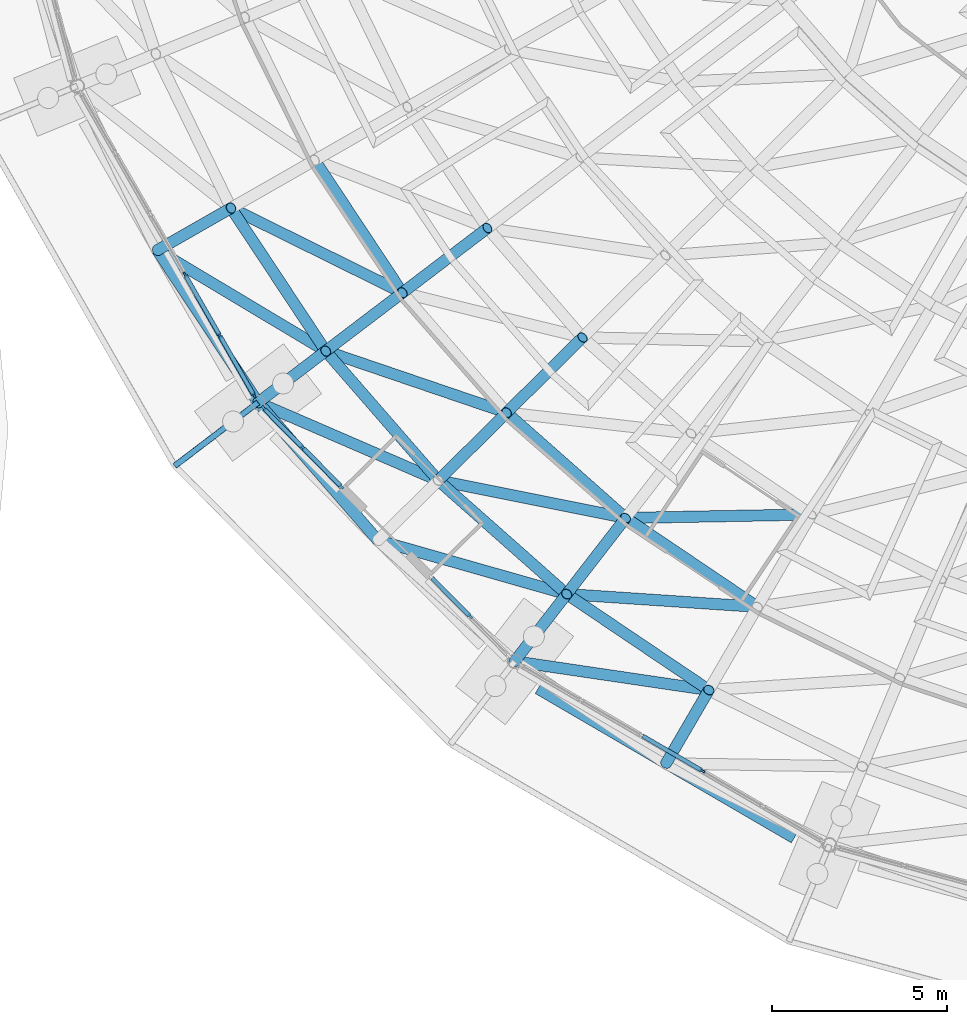
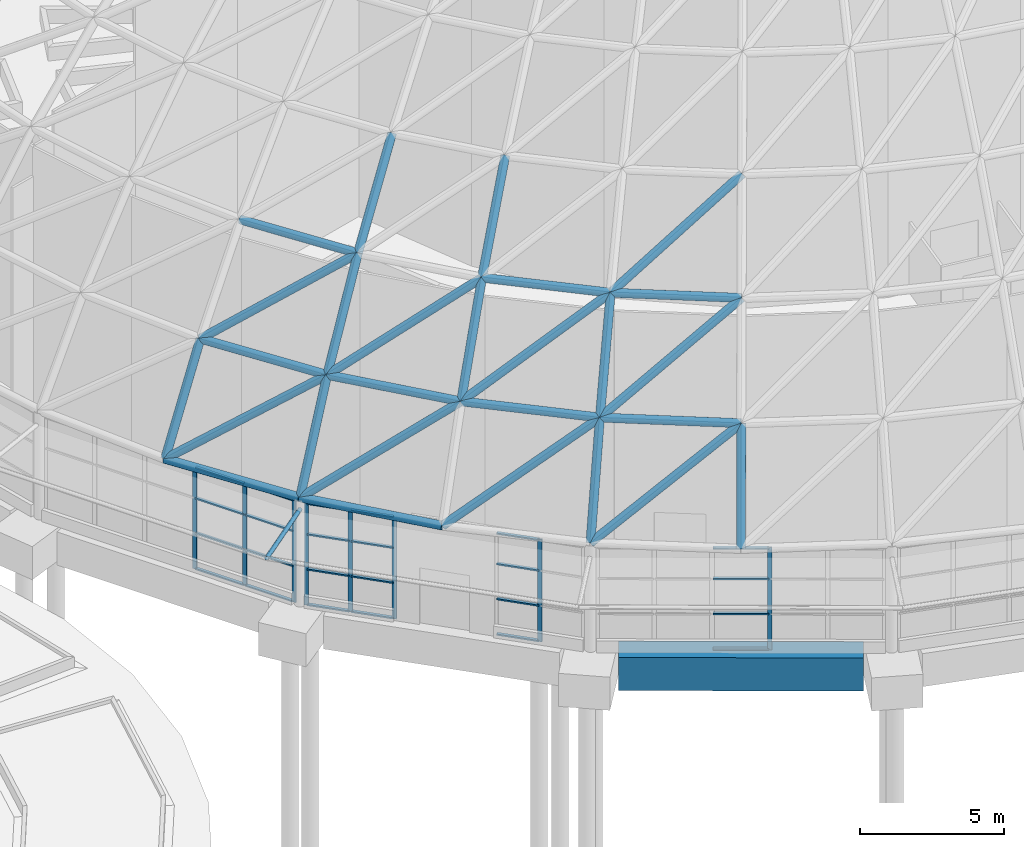
# One storey, part 74 of 226: 60 members, 1 beam, 4 elements without a shape of their own.
"""IFC4 building model written with IfcOpenShell, lengths in metres."""

import ifcopenshell
import ifcopenshell.guid

model = None  # the IFC model being written
_history = None  # IfcOwnerHistory: only IFC2X3 demands one
_inside = {}  # id of a spatial element -> (the spatial element, [elements in it])
_under = {}  # id of a project, library or spatial element -> (it, [spatial elements below it])
_declared = {}  # id of a project -> (the project, [libraries it declares])
_typed = {}  # id of a type object -> (the type object, [elements of that type])
_made_of = {}  # id of a material, layer set ... -> (it, [elements and type objects made of it])


def new_model(schema):
    """Start an empty IFC model of exactly this schema.

    Asked for "IFC4X3", IfcOpenShell would pick the latest addendum, in which some entities
    have other attributes; the version numbers below select the first issue.
    IFC2X3 requires an IfcOwnerHistory on every rooted entity: one is made here for all.
    """
    global model, _history
    if schema == "IFC4X3":
        model = ifcopenshell.file(schema_version=(4, 3, 0, 0))
    else:
        model = ifcopenshell.file(schema=schema)
    _inside.clear()
    _under.clear()
    _declared.clear()
    _typed.clear()
    _made_of.clear()
    _history = None
    if model.schema == "IFC2X3":
        org = make("IfcOrganization", Name="unknown")
        user = make(
            "IfcPersonAndOrganization",
            ThePerson=make("IfcPerson", FamilyName="unknown"),
            TheOrganization=org,
        )
        app = make(
            "IfcApplication",
            ApplicationDeveloper=org,
            Version="unknown",
            ApplicationFullName="unknown",
            ApplicationIdentifier="unknown",
        )
        _history = make(
            "IfcOwnerHistory",
            OwningUser=user,
            OwningApplication=app,
            ChangeAction="ADDED",
            CreationDate=0,
        )
    return model


def make(cls, **values):
    """One entity of the class cls with the attributes given. An attribute that is None is left unset."""
    return model.create_entity(
        cls, **{name: value for name, value in values.items() if value is not None}
    )


def rooted(cls, **values):
    """An entity with a GlobalId (a new one), such as an element, a storey or a relation."""
    return make(cls, GlobalId=ifcopenshell.guid.new(), OwnerHistory=_history, **values)


def si_unit(unit_type, name, prefix=None):
    """IfcSIUnit, for example si_unit("LENGTHUNIT", "METRE", prefix="MILLI")."""
    return make("IfcSIUnit", UnitType=unit_type, Prefix=prefix, Name=name)


def assignment(units):
    """IfcUnitAssignment: the units of a project."""
    return None if units is None else make("IfcUnitAssignment", Units=units)


def point(xyz):
    """IfcCartesianPoint."""
    return None if xyz is None else make("IfcCartesianPoint", Coordinates=xyz)


def direction(xyz):
    """IfcDirection."""
    return None if xyz is None else make("IfcDirection", DirectionRatios=xyz)


def frame(location, z_axis=None, x_axis=None):
    """IfcAxis2Placement3D, a coordinate frame: its origin and axes. An axis left out is left unset."""
    return make(
        "IfcAxis2Placement3D",
        Location=point(location),
        Axis=direction(z_axis),
        RefDirection=direction(x_axis),
    )


def frame_2d(location, x_axis=None):
    """IfcAxis2Placement2D, a coordinate frame in the plane: its origin and x axis."""
    return make(
        "IfcAxis2Placement2D", Location=point(location), RefDirection=direction(x_axis)
    )


def origin():
    """The frame at (0, 0, 0) with its axes left unset."""
    return frame((0.0, 0.0, 0.0))


def origin_2d():
    """The frame at (0, 0) in the plane with its x axis left unset."""
    return frame_2d((0.0, 0.0))


def place(relative_to, where):
    """IfcLocalPlacement: puts the frame where relative to a parent placement (None: the world)."""
    return make(
        "IfcLocalPlacement", PlacementRelTo=relative_to, RelativePlacement=where
    )


def context(
    kind, dimensions, precision=None, world=None, true_north=None, identifier=None
):
    """IfcGeometricRepresentationContext, for example the 3D "Model" context."""
    return make(
        "IfcGeometricRepresentationContext",
        ContextIdentifier=identifier,
        ContextType=kind,
        CoordinateSpaceDimension=dimensions,
        Precision=precision,
        WorldCoordinateSystem=world,
        TrueNorth=true_north,
    )


def subcontext(parent, identifier, kind, view, scale=None):
    """IfcGeometricRepresentationSubContext, for example "Body" below "Model"."""
    return make(
        "IfcGeometricRepresentationSubContext",
        ContextIdentifier=identifier,
        ContextType=kind,
        ParentContext=parent,
        TargetScale=scale,
        TargetView=view,
    )


def project(units=None, contexts=None):
    """IfcProject with its units and contexts."""
    return rooted(
        "IfcProject",
        Name="project",
        RepresentationContexts=contexts,
        UnitsInContext=assignment(units),
    )


def spatial(cls, under=None, at=None, **own):
    """A site, building, storey or space (cls), placed at a placement, below another one or the project."""
    s = rooted(cls, ObjectPlacement=at, **own)
    if under is not None:
        _under.setdefault(under.id(), (under, []))[1].append(s)
    return s


def profile(cls, at=None, kind="AREA", **sizes):
    """A parametric profile (cls). Its sizes go by their IFC names, for example OverallWidth=200.0."""
    return make(cls, ProfileType=kind, Position=at, **sizes)


def rectangle(**sizes):
    """IfcRectangleProfileDef."""
    return profile("IfcRectangleProfileDef", **sizes)


def hollow_circle(**sizes):
    """IfcCircleHollowProfileDef."""
    return profile("IfcCircleHollowProfileDef", **sizes)


def extrude(swept, where, along, depth):
    """IfcExtrudedAreaSolid: the profile swept, set in the frame where, extruded along a direction by depth."""
    return make(
        "IfcExtrudedAreaSolid",
        SweptArea=swept,
        Position=where,
        ExtrudedDirection=direction(along),
        Depth=depth,
    )


def shape(context_of_items, identifier, shape_type, items):
    """IfcShapeRepresentation: the items that make up one representation, for example the "Body"."""
    return make(
        "IfcShapeRepresentation",
        ContextOfItems=context_of_items,
        RepresentationIdentifier=identifier,
        RepresentationType=shape_type,
        Items=items,
    )


def material(Name=None, Category=None):
    """IfcMaterial."""
    return make("IfcMaterial", Name=Name, Category=Category)


def material_profile(
    of_material, cross_section, Name=None, Category=None, Priority=None
):
    """IfcMaterialProfile: a cross section and its material."""
    return make(
        "IfcMaterialProfile",
        Name=Name,
        Material=of_material,
        Profile=cross_section,
        Priority=Priority,
        Category=Category,
    )


def profile_set(profiles, Name=None, composite=None):
    """IfcMaterialProfileSet."""
    return make(
        "IfcMaterialProfileSet",
        Name=Name,
        MaterialProfiles=profiles,
        CompositeProfile=composite,
    )


def made_of(thing, what):
    """Note that an element or type object is made of a material, layer set ...; save() writes the relation."""
    if what is not None:
        _made_of.setdefault(what.id(), (what, []))[1].append(thing)
    return thing


def type_object(cls, material=None, **own):
    """A type object (cls), such as IfcWallType, which elements share."""
    return made_of(rooted(cls, **own), material)


def element(
    cls,
    number,
    at=None,
    inside=None,
    cuts=None,
    type_object=None,
    material=None,
    context=None,
    identifier="Body",
    shape_type=None,
    held_by="IfcProductDefinitionShape",
    body=None,
    shapes=None,
    **own,
):
    """One element of the class cls, such as IfcWall. Its Tag is "e" and its number.

    at: its placement. inside: the storey or other place that contains it. cuts: it is an
    opening in that element (IfcRelVoidsElement). A single representation is given by context,
    identifier, shape_type and body (its items); several are given by shapes. held_by: the class
    of the entity that holds the representations. save() writes the other relations.
    """
    e = rooted(cls, Tag="e%d" % number, ObjectPlacement=at, **own)
    if body is not None:
        shapes = [shape(context, identifier, shape_type, body)]
    if shapes is not None:
        e.Representation = make(held_by, Representations=shapes)
    if inside is not None:
        _inside.setdefault(inside.id(), (inside, []))[1].append(e)
    if cuts is not None:
        rooted(
            "IfcRelVoidsElement", RelatingBuildingElement=cuts, RelatedOpeningElement=e
        )
    if type_object is not None:
        _typed.setdefault(type_object.id(), (type_object, []))[1].append(e)
    return made_of(e, material)


def aggregate(whole, parts):
    """IfcRelAggregates: a whole, such as a stair, and the parts it consists of."""
    return rooted("IfcRelAggregates", RelatingObject=whole, RelatedObjects=parts)


def save(model, path):
    """Write the relations noted so far, then the file.

    IfcRelAggregates (storeys below a building ...), IfcRelContainedInSpatialStructure (elements
    in a storey), IfcRelDefinesByType, IfcRelAssociatesMaterial and IfcRelDeclares: one each for
    every whole, place, type object, material and project.
    """
    for whole, parts in _under.values():
        aggregate(whole, parts)
    for where, things in _inside.values():
        rooted(
            "IfcRelContainedInSpatialStructure",
            RelatedElements=things,
            RelatingStructure=where,
        )
    for kind, things in _typed.values():
        rooted("IfcRelDefinesByType", RelatedObjects=things, RelatingType=kind)
    for what, things in _made_of.values():
        rooted("IfcRelAssociatesMaterial", RelatedObjects=things, RelatingMaterial=what)
    for by, libraries in _declared.values():
        rooted("IfcRelDeclares", RelatingContext=by, RelatedDefinitions=libraries)
    model.write(path)


model = new_model("IFC4")

# Units and contexts
model_context = context("Model", 3, precision=1e-05, world=origin(), true_north=direction((0.0, 1.0)))
body_context = subcontext(model_context, "Body", "Model", "MODEL_VIEW")
ifc_project = project(units=[si_unit("LENGTHUNIT", "METRE"), si_unit("AREAUNIT", "SQUARE_METRE"), si_unit("VOLUMEUNIT", "CUBIC_METRE"), si_unit("PLANEANGLEUNIT", "RADIAN"), si_unit("MASSUNIT", "GRAM", prefix="KILO")], contexts=[model_context])

# Site, building, storey
site_placement = place(None, origin())
site = spatial("IfcSite", under=ifc_project, at=site_placement, CompositionType="ELEMENT")
building_placement = place(site_placement, origin())
building = spatial("IfcBuilding", under=site, at=building_placement, Name="Ceibo Conservatory and Research Tower", CompositionType="ELEMENT")
storey_placement = place(building_placement, origin())
storey = spatial("IfcBuildingStorey", under=building, at=storey_placement, Name="L00", CompositionType="ELEMENT", Elevation=0.0)

# Members
ifc_material_1 = material(Name="Steel ASTM A500 Gr C", Category="steel")
ifc_material_profile_1 = material_profile(ifc_material_1, hollow_circle(Radius=0.084228515625, WallThickness=0.007080078125, at=origin_2d()), Name="CHS 168.3x7.11")
ifc_profile_set_1 = profile_set([ifc_material_profile_1], Name="Steel ASTM A500 Gr C")
member_type_1 = type_object("IfcMemberType", Name="CHS 168.3x7.11", PredefinedType="NOTDEFINED", material=ifc_profile_set_1)
member_1_placement = place(storey_placement, frame((124.159912109375, 83.788330078125, 4.0), z_axis=(-0.795165709997, -0.604686898165, -0.045445008883), x_axis=(0.605312281467, -0.79598809156, 0.0)))
element("IfcMember", 1, at=member_1_placement, inside=storey, type_object=member_type_1, Name="Brim brace bracket A-BK15", PredefinedType="BRACE", context=body_context, shape_type="SweptSolid", body=[
    extrude(hollow_circle(Radius=0.084228515625, WallThickness=0.007080078125, at=origin_2d()), origin(), (0.0, 0.0, 1.0), 3.003173828125),
])
ifc_material_profile_2 = material_profile(ifc_material_1, hollow_circle(Radius=0.161865234375, WallThickness=0.01025390625, at=origin_2d()), Name="CHS 323.9x10.31")
ifc_profile_set_2 = profile_set([ifc_material_profile_2], Name="Steel ASTM A500 Gr C")
member_type_2 = type_object("IfcMemberType", Name="CHS 323.9x10.31", PredefinedType="NOTDEFINED", material=ifc_profile_set_2)
member_2_placement = place(storey_placement, frame((123.385986328125, 89.360107421875, 8.115966796875), z_axis=(0.551853690439, -0.833940947759, 0.0), x_axis=(0.833940947759, 0.551853690439, 0.0)))
element("IfcMember", 2, at=member_2_placement, inside=storey, type_object=member_type_2, Name="Gridshell member A-C02-28", PredefinedType="CHORD", context=body_context, shape_type="SweptSolid", body=[
    extrude(hollow_circle(Radius=0.161865234375, WallThickness=0.01025390625, at=origin_2d()), origin(), (0.0, 0.0, 1.0), 4.914306640625),
])
for number, where, z_axis, x_axis, name in (
    (3, (126.097900390625, 85.261962890625, 8.115966796875), (0.656151652014, -0.754629054277, 0.0), (0.754629054277, 0.656151652014, 0.0), "Gridshell member A-C02-29"),
    (4, (129.322021484375, 81.553955078125, 8.115966796875), (0.748942501444, -0.662634989667, 0.0), (0.662634989667, 0.748942501444, 0.0), "Gridshell member A-C02-30"),
):
    element("IfcMember", number, at=place(storey_placement, frame(where, z_axis=z_axis, x_axis=x_axis)), inside=storey, type_object=member_type_2, Name=name, PredefinedType="CHORD", context=body_context, shape_type="SweptSolid", body=[
        extrude(hollow_circle(Radius=0.161865234375, WallThickness=0.01025390625, at=origin_2d()), origin(), (0.0, 0.0, 1.0), 4.91357421875),
    ])
member_3_placement = place(storey_placement, frame((133.001953125, 78.298095703125, 8.115966796875), z_axis=(0.829026600565, -0.559209169771, 0.0), x_axis=(0.559209169771, 0.829026600565, 0.0)))
element("IfcMember", 5, at=member_3_placement, inside=storey, type_object=member_type_2, Name="Gridshell member A-C02-31", PredefinedType="CHORD", context=body_context, shape_type="SweptSolid", body=[
    extrude(hollow_circle(Radius=0.161865234375, WallThickness=0.01025390625, at=origin_2d()), origin(), (0.0, 0.0, 1.0), 4.9140625),
])
member_4_placement = place(storey_placement, frame((125.781982421875, 90.72900390625, 11.489013671875), z_axis=(0.552011690612, -0.833836370896, 0.0), x_axis=(0.833836370896, 0.552011690612, 0.0)))
element("IfcMember", 6, at=member_4_placement, inside=storey, type_object=member_type_2, Name="Gridshell member A-C03-28", PredefinedType="CHORD", context=body_context, shape_type="SweptSolid", body=[
    extrude(hollow_circle(Radius=0.161865234375, WallThickness=0.01025390625, at=origin_2d()), origin(), (0.0, 0.0, 1.0), 4.55224609375),
])
member_5_placement = place(storey_placement, frame((131.281982421875, 83.4970703125, 11.489013671875), z_axis=(0.748927985579, -0.662651395846, 0.0), x_axis=(0.662651395846, 0.748927985579, 0.0)))
element("IfcMember", 7, at=member_5_placement, inside=storey, type_object=member_type_2, Name="Gridshell member A-C03-30", PredefinedType="CHORD", context=body_context, shape_type="SweptSolid", body=[
    extrude(hollow_circle(Radius=0.161865234375, WallThickness=0.01025390625, at=origin_2d()), origin(), (0.0, 0.0, 1.0), 4.552978515625),
])
member_6_placement = place(storey_placement, frame((134.69189453125, 80.47998046875, 11.489013671875), z_axis=(0.829018358536, -0.55922138837, 0.0), x_axis=(0.55922138837, 0.829018358536, 0.0)))
element("IfcMember", 8, at=member_6_placement, inside=storey, type_object=member_type_2, Name="Gridshell member A-C03-31", PredefinedType="CHORD", context=body_context, shape_type="SweptSolid", body=[
    extrude(hollow_circle(Radius=0.161865234375, WallThickness=0.01025390625, at=origin_2d()), origin(), (0.0, 0.0, 1.0), 4.552490234375),
])
ifc_material_profile_3 = material_profile(ifc_material_1, hollow_circle(Radius=0.161865234375, WallThickness=0.01416015625, at=origin_2d()), Name="CHS 323.9x14.27")
ifc_profile_set_3 = profile_set([ifc_material_profile_3], Name="Steel ASTM A500 Gr C")
member_type_3 = type_object("IfcMemberType", Name="CHS 323.9x14.27", PredefinedType="NOTDEFINED", material=ifc_profile_set_3)
member_7_placement = place(storey_placement, frame((121.27197265625, 88.15087890625, 4.5), z_axis=(0.48490501886, 0.277368582794, 0.829417742735), x_axis=(-0.496516740391, 0.868027146183, 0.0)))
element("IfcMember", 9, at=member_7_placement, inside=storey, type_object=member_type_3, Name="Gridshell member A-M28-01", PredefinedType="RAFTER", context=body_context, shape_type="SweptSolid", body=[
    extrude(hollow_circle(Radius=0.161865234375, WallThickness=0.01416015625, at=origin_2d()), origin(), (0.0, 0.0, 1.0), 4.359619140625),
])
member_8_placement = place(storey_placement, frame((124.159912109375, 83.7880859375, 4.5), z_axis=(0.444566074041, 0.338100956033, 0.829487039887), x_axis=(-0.605345102649, 0.795963131494, 0.0)))
element("IfcMember", 10, at=member_8_placement, inside=storey, type_object=member_type_3, Name="Gridshell member A-M29-01", PredefinedType="RAFTER", context=body_context, shape_type="SweptSolid", body=[
    extrude(hollow_circle(Radius=0.161865234375, WallThickness=0.01416015625, at=origin_2d()), origin(), (0.0, 0.0, 1.0), 4.359375),
])
member_9_placement = place(storey_placement, frame((131.510986328125, 76.3720703125, 4.5), z_axis=(0.341981307818, 0.441770187879, 0.829390068788), x_axis=(-0.790753444568, 0.612134780831, 0.0)))
element("IfcMember", 11, at=member_9_placement, inside=storey, type_object=member_type_3, Name="Gridshell member A-M31-01", PredefinedType="RAFTER", context=body_context, shape_type="SweptSolid", body=[
    extrude(hollow_circle(Radius=0.161865234375, WallThickness=0.01416015625, at=origin_2d()), origin(), (0.0, 0.0, 1.0), 4.35986328125),
])
member_10_placement = place(storey_placement, frame((135.84912109375, 73.447021484375, 4.5), z_axis=(0.281426570102, 0.482429547235, 0.829494314384), x_axis=(-0.863771626951, 0.503883494942, 0.0)))
element("IfcMember", 12, at=member_10_placement, inside=storey, type_object=member_type_3, Name="Gridshell member A-M32-01", PredefinedType="RAFTER", context=body_context, shape_type="SweptSolid", body=[
    extrude(hollow_circle(Radius=0.161865234375, WallThickness=0.01416015625, at=origin_2d()), origin(), (0.0, 0.0, 1.0), 4.359130859375),
])
member_11_placement = place(storey_placement, frame((126.097900390625, 85.261962890625, 8.115966796875), z_axis=(0.504070215337, 0.383416004443, 0.773889776097), x_axis=(-0.605406140745, 0.795916707168, 0.0)))
element("IfcMember", 13, at=member_11_placement, inside=storey, type_object=member_type_3, Name="Gridshell member A-M29-02", PredefinedType="RAFTER", context=body_context, shape_type="SweptSolid", body=[
    extrude(hollow_circle(Radius=0.161865234375, WallThickness=0.01416015625, at=origin_2d()), origin(), (0.0, 0.0, 1.0), 4.358642578125),
])
member_12_placement = place(storey_placement, frame((129.322021484375, 81.553955078125, 8.115966796875), z_axis=(0.449709918767, 0.445844698987, 0.773940238874), x_axis=(-0.704048346097, 0.710152044536, 0.0)))
element("IfcMember", 14, at=member_12_placement, inside=storey, type_object=member_type_3, Name="Gridshell member A-M30-02", PredefinedType="RAFTER", context=body_context, shape_type="SweptSolid", body=[
    extrude(hollow_circle(Radius=0.161865234375, WallThickness=0.01416015625, at=origin_2d()), origin(), (0.0, 0.0, 1.0), 4.3583984375),
])
member_13_placement = place(storey_placement, frame((133.001953125, 78.298095703125, 8.115966796875), z_axis=(0.387760701565, 0.500638166699, 0.773952882523), x_axis=(-0.790593844328, 0.612340896323, 0.0)))
element("IfcMember", 15, at=member_13_placement, inside=storey, type_object=member_type_3, Name="Gridshell member A-M31-02", PredefinedType="RAFTER", context=body_context, shape_type="SweptSolid", body=[
    extrude(hollow_circle(Radius=0.161865234375, WallThickness=0.01416015625, at=origin_2d()), origin(), (0.0, 0.0, 1.0), 4.358154296875),
])
member_14_placement = place(storey_placement, frame((128.294921875, 86.93310546875, 11.489013671875), z_axis=(0.559323004753, 0.425065319755, 0.71167215085), x_axis=(-0.605065073587, 0.796176021194, 0.0)))
element("IfcMember", 16, at=member_14_placement, inside=storey, type_object=member_type_3, Name="Gridshell member A-M29-03", PredefinedType="RAFTER", context=body_context, shape_type="SweptSolid", body=[
    extrude(hollow_circle(Radius=0.161865234375, WallThickness=0.01416015625, at=origin_2d()), origin(), (0.0, 0.0, 1.0), 4.35888671875),
])
member_15_placement = place(storey_placement, frame((131.281982421875, 83.4970703125, 11.489013671875), z_axis=(0.499020526451, 0.494427453921, 0.711702189817), x_axis=(-0.703830046188, 0.710368401664, 0.0)))
element("IfcMember", 17, at=member_15_placement, inside=storey, type_object=member_type_3, Name="Gridshell member A-M30-03", PredefinedType="RAFTER", context=body_context, shape_type="SweptSolid", body=[
    extrude(hollow_circle(Radius=0.161865234375, WallThickness=0.01416015625, at=origin_2d()), origin(), (0.0, 0.0, 1.0), 4.358642578125),
])
ifc_material_2 = material(Name="Steel S355J2H", Category="steel")
ifc_material_profile_4 = material_profile(ifc_material_2, hollow_circle(Radius=0.161865234375, WallThickness=0.025390625, at=origin_2d()), Name="CHS 323.9x25.40")
ifc_profile_set_4 = profile_set([ifc_material_profile_4], Name="Steel S355J2H")
member_type_4 = type_object("IfcMemberType", Name="CHS 323.9x25.40", PredefinedType="NOTDEFINED", material=ifc_profile_set_4)
member_16_placement = place(storey_placement, frame((121.27197265625, 88.15087890625, 4.5), z_axis=(0.551972840118, -0.83386208918, 0.0), x_axis=(0.83386208918, 0.551972840118, 0.0)))
element("IfcMember", 18, at=member_16_placement, inside=storey, type_object=member_type_4, Name="Gridshell member A-C01-28", PredefinedType="CHORD", context=body_context, shape_type="SweptSolid", body=[
    extrude(hollow_circle(Radius=0.161865234375, WallThickness=0.025390625, at=origin_2d()), origin(), (0.0, 0.0, 1.0), 5.23193359375),
])
member_17_placement = place(storey_placement, frame((124.159912109375, 83.7880859375, 4.5), z_axis=(0.656093231149, -0.754679847379, 0.0), x_axis=(0.754679847379, 0.656093231149, 0.0)))
element("IfcMember", 19, at=member_17_placement, inside=storey, type_object=member_type_4, Name="Gridshell member A-C01-29", PredefinedType="CHORD", context=body_context, shape_type="SweptSolid", body=[
    extrude(hollow_circle(Radius=0.161865234375, WallThickness=0.025390625, at=origin_2d()), origin(), (0.0, 0.0, 1.0), 5.232666015625),
])
ifc_material_profile_5 = material_profile(ifc_material_1, hollow_circle(Radius=0.161865234375, WallThickness=0.00830078125, at=origin_2d()), Name="CHS 323.9x8.38")
ifc_profile_set_5 = profile_set([ifc_material_profile_5], Name="Steel ASTM A500 Gr C")
member_type_5 = type_object("IfcMemberType", Name="CHS 323.9x8.38", PredefinedType="NOTDEFINED", material=ifc_profile_set_5)
member_18_placement = place(storey_placement, frame((121.27197265625, 88.15087890625, 4.5), z_axis=(0.721731098694, -0.432045535026, 0.540778029178), x_axis=(0.513627364717, 0.858013362491, 0.0)))
element("IfcMember", 20, at=member_18_placement, inside=storey, type_object=member_type_5, Name="Gridshell diagonal member A-D01-28", PredefinedType="BRACE", context=body_context, shape_type="SweptSolid", body=[
    extrude(hollow_circle(Radius=0.161865234375, WallThickness=0.00830078125, at=origin_2d()), origin(), (0.0, 0.0, 1.0), 6.6865234375),
])
member_19_placement = place(storey_placement, frame((124.159912109375, 83.7880859375, 4.5), z_axis=(0.771979525269, -0.334108240434, 0.540758075519), x_axis=(0.397190814851, 0.917736049525, 0.0)))
element("IfcMember", 21, at=member_19_placement, inside=storey, type_object=member_type_5, Name="Gridshell diagonal member A-D01-29", PredefinedType="BRACE", context=body_context, shape_type="SweptSolid", body=[
    extrude(hollow_circle(Radius=0.161865234375, WallThickness=0.00830078125, at=origin_2d()), origin(), (0.0, 0.0, 1.0), 6.686767578125),
])
member_20_placement = place(storey_placement, frame((127.593017578125, 79.839111328125, 4.5), z_axis=(0.808958664772, -0.230473802394, 0.54080283385), x_axis=(0.273998656317, 0.961730074572, 0.0)))
element("IfcMember", 22, at=member_20_placement, inside=storey, type_object=member_type_5, Name="Gridshell diagonal member A-D01-30", PredefinedType="BRACE", context=body_context, shape_type="SweptSolid", body=[
    extrude(hollow_circle(Radius=0.161865234375, WallThickness=0.00830078125, at=origin_2d()), origin(), (0.0, 0.0, 1.0), 6.686279296875),
])
member_21_placement = place(storey_placement, frame((131.510986328125, 76.3720703125, 4.5), z_axis=(0.832170061354, -0.122923427068, 0.540724347579), x_axis=(0.146128684803, 0.989265589959, 0.0)))
element("IfcMember", 23, at=member_21_placement, inside=storey, type_object=member_type_5, Name="Gridshell diagonal member A-D01-31", PredefinedType="BRACE", context=body_context, shape_type="SweptSolid", body=[
    extrude(hollow_circle(Radius=0.161865234375, WallThickness=0.00830078125, at=origin_2d()), origin(), (0.0, 0.0, 1.0), 6.687255859375),
])
for number, where, z_axis, x_axis, name in (
    (24, (123.385986328125, 89.360107421875, 8.115966796875), (0.763253049819, -0.37735607342, 0.524449402512), (0.443196652189, 0.896424412591, 0.0), "Gridshell diagonal member A-D02-28"),
    (25, (126.097900390625, 85.261962890625, 8.115966796875), (0.806018230556, -0.274404529937, 0.524439477883), (0.322279948392, 0.946644407824, 0.0), "Gridshell diagonal member A-D02-29"),
    (26, (129.322021484375, 81.553955078125, 8.115966796875), (0.834910913338, -0.166982182668, 0.524443245223), (0.196116135138, 0.980580675691, 0.0), "Gridshell diagonal member A-D02-30"),
    (27, (133.001953125, 78.298095703125, 8.115966796875), (0.84956251301, -0.056597011166, 0.524442861344), (0.0664716668, 0.997788312977, 0.0), "Gridshell diagonal member A-D02-31"),
):
    element("IfcMember", number, at=place(storey_placement, frame(where, z_axis=z_axis, x_axis=x_axis)), inside=storey, type_object=member_type_5, Name=name, PredefinedType="BRACE", context=body_context, shape_type="SweptSolid", body=[
        extrude(hollow_circle(Radius=0.161865234375, WallThickness=0.00830078125, at=origin_2d()), origin(), (0.0, 0.0, 1.0), 6.431640625),
    ])
member_22_placement = place(storey_placement, frame((134.69189453125, 80.47998046875, 11.489013671875), z_axis=(0.863639618189, 0.016099806464, 0.503852563878), x_axis=(-0.018638572589, 0.999826286718, 0.0)))
element("IfcMember", 28, at=member_22_placement, inside=storey, type_object=member_type_5, Name="Gridshell diagonal member A-D03-31", PredefinedType="BRACE", context=body_context, shape_type="SweptSolid", body=[
    extrude(hollow_circle(Radius=0.161865234375, WallThickness=0.00830078125, at=origin_2d()), origin(), (0.0, 0.0, 1.0), 6.15673828125),
])

# Curtain wall, members
ifc_material_3 = material(Name="Aluminium and glass", Category="aluminium")
curtain_wall_type = type_object("IfcCurtainWallType", Name="Drum curtain wall", PredefinedType="NOTDEFINED", material=ifc_material_3)
curtain_wall_1_placement = place(storey_placement, origin())
curtain_wall_1 = element("IfcCurtainWall", 29, at=curtain_wall_1_placement, inside=storey, type_object=curtain_wall_type, Name="Drum curtain wall A-CW14", PredefinedType="NOTDEFINED")
ifc_material_4 = material(Name="Aluminium", Category="aluminium")
ifc_material_profile_6 = material_profile(ifc_material_4, rectangle(XDim=0.06005859375, YDim=0.159912109375, at=origin_2d()), Name="AL 60x160")
ifc_profile_set_6 = profile_set([ifc_material_profile_6], Name="Aluminium")
member_type_6 = type_object("IfcMemberType", Name="Drum mullion 60x160", PredefinedType="MULLION", material=ifc_profile_set_6)
member_23_placement = place(storey_placement, frame((122.067138671875, 87.449951171875, 0.0), z_axis=(0.0, 0.0, 1.0), x_axis=(0.868198821002, 0.49621649228, 0.0)))
member_23 = element("IfcMember", 30, at=member_23_placement, type_object=member_type_6, Name="A-CW14 mullion 4", PredefinedType="MULLION", context=body_context, shape_type="SweptSolid", body=[
    extrude(rectangle(XDim=0.06005859375, YDim=0.159912109375, at=origin_2d()), origin(), (0.0, 0.0, 1.0), 4.338134765625),
])
member_24_placement = place(storey_placement, frame((123.063232421875, 85.707275390625, 0.0), z_axis=(0.0, 0.0, 1.0), x_axis=(0.868198821002, 0.49621649228, 0.0)))
member_24 = element("IfcMember", 31, at=member_24_placement, type_object=member_type_6, Name="A-CW14 mullion 5", PredefinedType="MULLION", context=body_context, shape_type="SweptSolid", body=[
    extrude(rectangle(XDim=0.06005859375, YDim=0.159912109375, at=origin_2d()), origin(), (0.0, 0.0, 1.0), 4.338134765625),
])
member_25_placement = place(storey_placement, frame((124.044189453125, 83.99072265625, 0.0), z_axis=(0.0, 0.0, 1.0), x_axis=(0.868198821002, 0.49621649228, 0.0)))
member_25 = element("IfcMember", 32, at=member_25_placement, type_object=member_type_6, Name="A-CW14 mullion 6", PredefinedType="MULLION", context=body_context, shape_type="SweptSolid", body=[
    extrude(rectangle(XDim=0.06005859375, YDim=0.159912109375, at=origin_2d()), origin(), (0.0, 0.0, 1.0), 4.338134765625),
])

curtain_wall_2_placement = place(storey_placement, origin())
curtain_wall_2 = element("IfcCurtainWall", 33, at=curtain_wall_2_placement, inside=storey, type_object=curtain_wall_type, Name="Drum curtain wall A-CW15W", PredefinedType="NOTDEFINED")
member_26_placement = place(storey_placement, frame((124.323974609375, 83.62255859375, 0.0), z_axis=(0.0, 0.0, 1.0), x_axis=(0.71018535052, 0.704014749779, 0.0)))
member_26 = element("IfcMember", 34, at=member_26_placement, type_object=member_type_6, Name="A-CW15W mullion 1", PredefinedType="MULLION", context=body_context, shape_type="SweptSolid", body=[
    extrude(rectangle(XDim=0.06005859375, YDim=0.159912109375, at=origin_2d()), origin(), (0.0, 0.0, 1.0), 4.338134765625),
])
member_27_placement = place(storey_placement, frame((125.435791015625, 82.501220703125, 0.0), z_axis=(0.0, 0.0, 1.0), x_axis=(0.71018535052, 0.704014749779, 0.0)))
member_27 = element("IfcMember", 35, at=member_27_placement, type_object=member_type_6, Name="A-CW15W mullion 2", PredefinedType="MULLION", context=body_context, shape_type="SweptSolid", body=[
    extrude(rectangle(XDim=0.06005859375, YDim=0.159912109375, at=origin_2d()), origin(), (0.0, 0.0, 1.0), 4.338134765625),
])
member_28_placement = place(storey_placement, frame((126.54736328125, 81.3798828125, 0.0), z_axis=(0.0, 0.0, 1.0), x_axis=(0.71018535052, 0.704014749779, 0.0)))
member_28 = element("IfcMember", 36, at=member_28_placement, type_object=member_type_6, Name="A-CW15W mullion 3", PredefinedType="MULLION", context=body_context, shape_type="SweptSolid", body=[
    extrude(rectangle(XDim=0.06005859375, YDim=0.159912109375, at=origin_2d()), origin(), (0.0, 0.0, 1.0), 4.338134765625),
])

# Curtain wall, member
curtain_wall_3_placement = place(storey_placement, origin())
curtain_wall_3 = element("IfcCurtainWall", 37, at=curtain_wall_3_placement, inside=storey, type_object=curtain_wall_type, Name="Drum curtain wall A-CW15E", PredefinedType="NOTDEFINED")
member_29_placement = place(storey_placement, frame((130.235595703125, 77.659423828125, 0.0), z_axis=(0.0, 0.0, 1.0), x_axis=(0.71018535052, 0.704014749779, 0.0)))
member_29 = element("IfcMember", 38, at=member_29_placement, type_object=member_type_6, Name="A-CW15E mullion 2", PredefinedType="MULLION", context=body_context, shape_type="SweptSolid", body=[
    extrude(rectangle(XDim=0.06005859375, YDim=0.159912109375, at=origin_2d()), origin(), (0.0, 0.0, 1.0), 4.338134765625),
])

curtain_wall_4_placement = place(storey_placement, origin())
curtain_wall_4 = element("IfcCurtainWall", 39, at=curtain_wall_4_placement, inside=storey, type_object=curtain_wall_type, Name="Drum curtain wall A-CW16", PredefinedType="NOTDEFINED")
member_30_placement = place(storey_placement, frame((136.888427734375, 73.236572265625, 0.0), z_axis=(0.0, 0.0, 1.0), x_axis=(0.503773971965, 0.863835508167, 0.0)))
member_30 = element("IfcMember", 40, at=member_30_placement, type_object=member_type_6, Name="A-CW16 mullion 4", PredefinedType="MULLION", context=body_context, shape_type="SweptSolid", body=[
    extrude(rectangle(XDim=0.06005859375, YDim=0.159912109375, at=origin_2d()), origin(), (0.0, 0.0, 1.0), 4.338134765625),
])

# Member
ifc_material_profile_7 = material_profile(ifc_material_4, rectangle(XDim=0.1201171875, YDim=0.06005859375, at=origin_2d()), Name="AL 60x120")
ifc_profile_set_7 = profile_set([ifc_material_profile_7], Name="Aluminium")
member_type_7 = type_object("IfcMemberType", Name="Drum transom 60x120", PredefinedType="USERDEFINED", material=ifc_profile_set_7)
member_31_placement = place(storey_placement, frame((122.08203125, 87.423828125, 0.030029296875), z_axis=(0.496273962393, -0.868165971604, 0.0), x_axis=(0.868165971604, 0.496273962393, 0.0)))
member_31 = element("IfcMember", 41, at=member_31_placement, type_object=member_type_7, Name="A-CW14 transom 4.1", ObjectType="TRANSOM", PredefinedType="USERDEFINED", context=body_context, shape_type="SweptSolid", body=[
    extrude(rectangle(XDim=0.1201171875, YDim=0.06005859375, at=origin_2d()), origin(), (0.0, 0.0, 1.0), 1.947021484375),
])

member_32_placement = place(storey_placement, frame((122.08203125, 87.423828125, 1.530029296875), z_axis=(0.496273962393, -0.868165971604, 0.0), x_axis=(0.868165971604, 0.496273962393, 0.0)))
member_32 = element("IfcMember", 42, at=member_32_placement, type_object=member_type_7, Name="A-CW14 transom 4.2", ObjectType="TRANSOM", PredefinedType="USERDEFINED", context=body_context, shape_type="SweptSolid", body=[
    extrude(rectangle(XDim=0.1201171875, YDim=0.06005859375, at=origin_2d()), origin(), (0.0, 0.0, 1.0), 1.947021484375),
])

member_33_placement = place(storey_placement, frame((122.08203125, 87.423828125, 3.014892578125), z_axis=(0.496273962393, -0.868165971604, 0.0), x_axis=(0.868165971604, 0.496273962393, 0.0)))
member_33 = element("IfcMember", 43, at=member_33_placement, type_object=member_type_7, Name="A-CW14 transom 4.3", ObjectType="TRANSOM", PredefinedType="USERDEFINED", context=body_context, shape_type="SweptSolid", body=[
    extrude(rectangle(XDim=0.1201171875, YDim=0.06005859375, at=origin_2d()), origin(), (0.0, 0.0, 1.0), 1.947021484375),
])

member_34_placement = place(storey_placement, frame((122.08203125, 87.423828125, 4.30810546875), z_axis=(0.496273962393, -0.868165971604, 0.0), x_axis=(0.868165971604, 0.496273962393, 0.0)))
member_34 = element("IfcMember", 44, at=member_34_placement, type_object=member_type_7, Name="A-CW14 transom 4.4", ObjectType="TRANSOM", PredefinedType="USERDEFINED", context=body_context, shape_type="SweptSolid", body=[
    extrude(rectangle(XDim=0.1201171875, YDim=0.06005859375, at=origin_2d()), origin(), (0.0, 0.0, 1.0), 1.947021484375),
])

member_35_placement = place(storey_placement, frame((123.077880859375, 85.68115234375, 0.030029296875), z_axis=(0.496289793717, -0.868156921675, 0.0), x_axis=(0.868156921675, 0.496289793717, 0.0)))
member_35 = element("IfcMember", 45, at=member_35_placement, type_object=member_type_7, Name="A-CW14 transom 5.1", ObjectType="TRANSOM", PredefinedType="USERDEFINED", context=body_context, shape_type="SweptSolid", body=[
    extrude(rectangle(XDim=0.1201171875, YDim=0.06005859375, at=origin_2d()), origin(), (0.0, 0.0, 1.0), 1.9169921875),
])

member_36_placement = place(storey_placement, frame((123.077880859375, 85.68115234375, 1.530029296875), z_axis=(0.496289793717, -0.868156921675, 0.0), x_axis=(0.868156921675, 0.496289793717, 0.0)))
member_36 = element("IfcMember", 46, at=member_36_placement, type_object=member_type_7, Name="A-CW14 transom 5.2", ObjectType="TRANSOM", PredefinedType="USERDEFINED", context=body_context, shape_type="SweptSolid", body=[
    extrude(rectangle(XDim=0.1201171875, YDim=0.06005859375, at=origin_2d()), origin(), (0.0, 0.0, 1.0), 1.9169921875),
])

member_37_placement = place(storey_placement, frame((123.077880859375, 85.68115234375, 3.014892578125), z_axis=(0.496289793717, -0.868156921675, 0.0), x_axis=(0.868156921675, 0.496289793717, 0.0)))
member_37 = element("IfcMember", 47, at=member_37_placement, type_object=member_type_7, Name="A-CW14 transom 5.3", ObjectType="TRANSOM", PredefinedType="USERDEFINED", context=body_context, shape_type="SweptSolid", body=[
    extrude(rectangle(XDim=0.1201171875, YDim=0.06005859375, at=origin_2d()), origin(), (0.0, 0.0, 1.0), 1.9169921875),
])

member_38_placement = place(storey_placement, frame((123.077880859375, 85.68115234375, 4.30810546875), z_axis=(0.496289793717, -0.868156921675, 0.0), x_axis=(0.868156921675, 0.496289793717, 0.0)))
member_38 = element("IfcMember", 48, at=member_38_placement, type_object=member_type_7, Name="A-CW14 transom 5.4", ObjectType="TRANSOM", PredefinedType="USERDEFINED", context=body_context, shape_type="SweptSolid", body=[
    extrude(rectangle(XDim=0.1201171875, YDim=0.06005859375, at=origin_2d()), origin(), (0.0, 0.0, 1.0), 1.9169921875),
])

aggregate(curtain_wall_1, [member_23, member_24, member_25, member_31, member_32, member_33, member_34, member_35, member_36, member_37, member_38])

member_39_placement = place(storey_placement, frame((124.34521484375, 83.601318359375, 0.030029296875), z_axis=(0.704046104404, -0.710154266954, 0.0), x_axis=(0.710154266954, 0.704046104404, 0.0)))
member_39 = element("IfcMember", 49, at=member_39_placement, type_object=member_type_7, Name="A-CW15W transom 1.1", ObjectType="TRANSOM", PredefinedType="USERDEFINED", context=body_context, shape_type="SweptSolid", body=[
    extrude(rectangle(XDim=0.1201171875, YDim=0.06005859375, at=origin_2d()), origin(), (0.0, 0.0, 1.0), 1.518798828125),
])

member_40_placement = place(storey_placement, frame((124.34521484375, 83.601318359375, 1.530029296875), z_axis=(0.704046104404, -0.710154266954, 0.0), x_axis=(0.710154266954, 0.704046104404, 0.0)))
member_40 = element("IfcMember", 50, at=member_40_placement, type_object=member_type_7, Name="A-CW15W transom 1.2", ObjectType="TRANSOM", PredefinedType="USERDEFINED", context=body_context, shape_type="SweptSolid", body=[
    extrude(rectangle(XDim=0.1201171875, YDim=0.06005859375, at=origin_2d()), origin(), (0.0, 0.0, 1.0), 1.518798828125),
])

member_41_placement = place(storey_placement, frame((124.34521484375, 83.601318359375, 3.014892578125), z_axis=(0.704046104404, -0.710154266954, 0.0), x_axis=(0.710154266954, 0.704046104404, 0.0)))
member_41 = element("IfcMember", 51, at=member_41_placement, type_object=member_type_7, Name="A-CW15W transom 1.3", ObjectType="TRANSOM", PredefinedType="USERDEFINED", context=body_context, shape_type="SweptSolid", body=[
    extrude(rectangle(XDim=0.1201171875, YDim=0.06005859375, at=origin_2d()), origin(), (0.0, 0.0, 1.0), 1.518798828125),
])

member_42_placement = place(storey_placement, frame((124.34521484375, 83.601318359375, 4.30810546875), z_axis=(0.704046104404, -0.710154266954, 0.0), x_axis=(0.710154266954, 0.704046104404, 0.0)))
member_42 = element("IfcMember", 52, at=member_42_placement, type_object=member_type_7, Name="A-CW15W transom 1.4", ObjectType="TRANSOM", PredefinedType="USERDEFINED", context=body_context, shape_type="SweptSolid", body=[
    extrude(rectangle(XDim=0.1201171875, YDim=0.06005859375, at=origin_2d()), origin(), (0.0, 0.0, 1.0), 1.518798828125),
])

member_43_placement = place(storey_placement, frame((125.456787109375, 82.47998046875, 0.030029296875), z_axis=(0.704046104404, -0.710154266954, 0.0), x_axis=(0.710154266954, 0.704046104404, 0.0)))
member_43 = element("IfcMember", 53, at=member_43_placement, type_object=member_type_7, Name="A-CW15W transom 2.1", ObjectType="TRANSOM", PredefinedType="USERDEFINED", context=body_context, shape_type="SweptSolid", body=[
    extrude(rectangle(XDim=0.1201171875, YDim=0.06005859375, at=origin_2d()), origin(), (0.0, 0.0, 1.0), 1.518798828125),
])

member_44_placement = place(storey_placement, frame((125.456787109375, 82.47998046875, 1.530029296875), z_axis=(0.704046104404, -0.710154266954, 0.0), x_axis=(0.710154266954, 0.704046104404, 0.0)))
member_44 = element("IfcMember", 54, at=member_44_placement, type_object=member_type_7, Name="A-CW15W transom 2.2", ObjectType="TRANSOM", PredefinedType="USERDEFINED", context=body_context, shape_type="SweptSolid", body=[
    extrude(rectangle(XDim=0.1201171875, YDim=0.06005859375, at=origin_2d()), origin(), (0.0, 0.0, 1.0), 1.518798828125),
])

member_45_placement = place(storey_placement, frame((125.456787109375, 82.47998046875, 3.014892578125), z_axis=(0.704046104404, -0.710154266954, 0.0), x_axis=(0.710154266954, 0.704046104404, 0.0)))
member_45 = element("IfcMember", 55, at=member_45_placement, type_object=member_type_7, Name="A-CW15W transom 2.3", ObjectType="TRANSOM", PredefinedType="USERDEFINED", context=body_context, shape_type="SweptSolid", body=[
    extrude(rectangle(XDim=0.1201171875, YDim=0.06005859375, at=origin_2d()), origin(), (0.0, 0.0, 1.0), 1.518798828125),
])

member_46_placement = place(storey_placement, frame((125.456787109375, 82.47998046875, 4.30810546875), z_axis=(0.704046104404, -0.710154266954, 0.0), x_axis=(0.710154266954, 0.704046104404, 0.0)))
member_46 = element("IfcMember", 56, at=member_46_placement, type_object=member_type_7, Name="A-CW15W transom 2.4", ObjectType="TRANSOM", PredefinedType="USERDEFINED", context=body_context, shape_type="SweptSolid", body=[
    extrude(rectangle(XDim=0.1201171875, YDim=0.06005859375, at=origin_2d()), origin(), (0.0, 0.0, 1.0), 1.518798828125),
])

aggregate(curtain_wall_2, [member_26, member_27, member_28, member_39, member_40, member_41, member_42, member_43, member_44, member_45, member_46])

member_47_placement = place(storey_placement, frame((129.14501953125, 78.75927734375, 0.030029296875), z_axis=(0.704046104404, -0.710154266954, 0.0), x_axis=(0.710154266954, 0.704046104404, 0.0)))
member_47 = element("IfcMember", 57, at=member_47_placement, type_object=member_type_7, Name="A-CW15E transom 1.1", ObjectType="TRANSOM", PredefinedType="USERDEFINED", context=body_context, shape_type="SweptSolid", body=[
    extrude(rectangle(XDim=0.1201171875, YDim=0.06005859375, at=origin_2d()), origin(), (0.0, 0.0, 1.0), 1.518798828125),
])

member_48_placement = place(storey_placement, frame((129.14501953125, 78.75927734375, 1.530029296875), z_axis=(0.704046104404, -0.710154266954, 0.0), x_axis=(0.710154266954, 0.704046104404, 0.0)))
member_48 = element("IfcMember", 58, at=member_48_placement, type_object=member_type_7, Name="A-CW15E transom 1.2", ObjectType="TRANSOM", PredefinedType="USERDEFINED", context=body_context, shape_type="SweptSolid", body=[
    extrude(rectangle(XDim=0.1201171875, YDim=0.06005859375, at=origin_2d()), origin(), (0.0, 0.0, 1.0), 1.518798828125),
])

member_49_placement = place(storey_placement, frame((129.14501953125, 78.75927734375, 3.014892578125), z_axis=(0.704046104404, -0.710154266954, 0.0), x_axis=(0.710154266954, 0.704046104404, 0.0)))
member_49 = element("IfcMember", 59, at=member_49_placement, type_object=member_type_7, Name="A-CW15E transom 1.3", ObjectType="TRANSOM", PredefinedType="USERDEFINED", context=body_context, shape_type="SweptSolid", body=[
    extrude(rectangle(XDim=0.1201171875, YDim=0.06005859375, at=origin_2d()), origin(), (0.0, 0.0, 1.0), 1.518798828125),
])

member_50_placement = place(storey_placement, frame((129.14501953125, 78.75927734375, 4.30810546875), z_axis=(0.704046104404, -0.710154266954, 0.0), x_axis=(0.710154266954, 0.704046104404, 0.0)))
member_50 = element("IfcMember", 60, at=member_50_placement, type_object=member_type_7, Name="A-CW15E transom 1.4", ObjectType="TRANSOM", PredefinedType="USERDEFINED", context=body_context, shape_type="SweptSolid", body=[
    extrude(rectangle(XDim=0.1201171875, YDim=0.06005859375, at=origin_2d()), origin(), (0.0, 0.0, 1.0), 1.518798828125),
])

aggregate(curtain_wall_3, [member_29, member_47, member_48, member_49, member_50])

member_51_placement = place(storey_placement, frame((135.180419921875, 74.232666015625, 0.030029296875), z_axis=(0.86384255657, -0.503761885675, 0.0), x_axis=(0.503761885675, 0.86384255657, 0.0)))
member_51 = element("IfcMember", 61, at=member_51_placement, type_object=member_type_7, Name="A-CW16 transom 3.1", ObjectType="TRANSOM", PredefinedType="USERDEFINED", context=body_context, shape_type="SweptSolid", body=[
    extrude(rectangle(XDim=0.1201171875, YDim=0.06005859375, at=origin_2d()), origin(), (0.0, 0.0, 1.0), 1.947265625),
])

member_52_placement = place(storey_placement, frame((135.180419921875, 74.232666015625, 1.530029296875), z_axis=(0.86384255657, -0.503761885675, 0.0), x_axis=(0.503761885675, 0.86384255657, 0.0)))
member_52 = element("IfcMember", 62, at=member_52_placement, type_object=member_type_7, Name="A-CW16 transom 3.2", ObjectType="TRANSOM", PredefinedType="USERDEFINED", context=body_context, shape_type="SweptSolid", body=[
    extrude(rectangle(XDim=0.1201171875, YDim=0.06005859375, at=origin_2d()), origin(), (0.0, 0.0, 1.0), 1.947265625),
])

member_53_placement = place(storey_placement, frame((135.180419921875, 74.232666015625, 3.014892578125), z_axis=(0.86384255657, -0.503761885675, 0.0), x_axis=(0.503761885675, 0.86384255657, 0.0)))
member_53 = element("IfcMember", 63, at=member_53_placement, type_object=member_type_7, Name="A-CW16 transom 3.3", ObjectType="TRANSOM", PredefinedType="USERDEFINED", context=body_context, shape_type="SweptSolid", body=[
    extrude(rectangle(XDim=0.1201171875, YDim=0.06005859375, at=origin_2d()), origin(), (0.0, 0.0, 1.0), 1.947265625),
])

member_54_placement = place(storey_placement, frame((135.180419921875, 74.232666015625, 4.30810546875), z_axis=(0.86384255657, -0.503761885675, 0.0), x_axis=(0.503761885675, 0.86384255657, 0.0)))
member_54 = element("IfcMember", 64, at=member_54_placement, type_object=member_type_7, Name="A-CW16 transom 3.4", ObjectType="TRANSOM", PredefinedType="USERDEFINED", context=body_context, shape_type="SweptSolid", body=[
    extrude(rectangle(XDim=0.1201171875, YDim=0.06005859375, at=origin_2d()), origin(), (0.0, 0.0, 1.0), 1.947265625),
])

aggregate(curtain_wall_4, [member_30, member_51, member_52, member_53, member_54])

# Beam
ifc_material_5 = material(Name="Concrete C35/45", Category="concrete")
ifc_material_profile_8 = material_profile(ifc_material_5, rectangle(XDim=1.0, YDim=1.39990234375, at=origin_2d()), Name="RC 1000x1400")
ifc_profile_set_8 = profile_set([ifc_material_profile_8], Name="Concrete C35/45")
beam_type = type_object("IfcBeamType", Name="RC ring beam 1000x1400", PredefinedType="BEAM", material=ifc_profile_set_8)
beam_placement = place(storey_placement, frame((132.353271484375, 75.88134765625, -0.699951171875), z_axis=(0.863843537018, -0.503760204416, 0.0), x_axis=(0.503760204416, 0.863843537018, 0.0)))
element("IfcBeam", 65, at=beam_placement, inside=storey, type_object=beam_type, Name="Drum ring beam A-RB16", PredefinedType="BEAM", context=body_context, shape_type="SweptSolid", body=[
    extrude(rectangle(XDim=1.0, YDim=1.39990234375, at=origin_2d()), origin(), (0.0, 0.0, 1.0), 8.49267578125),
])

save(model, "model.ifc")
